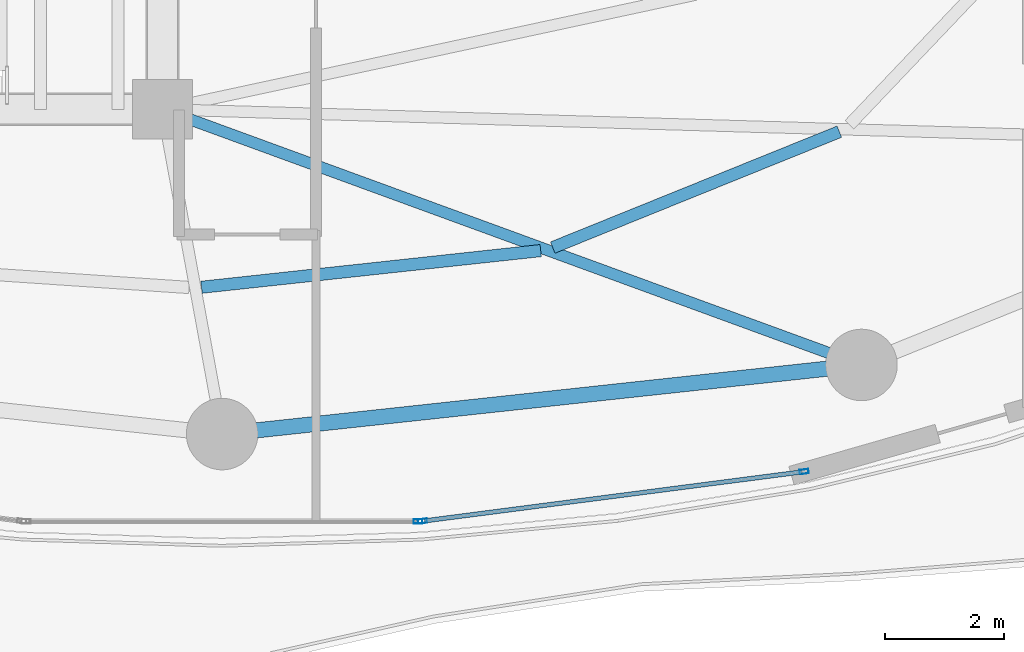
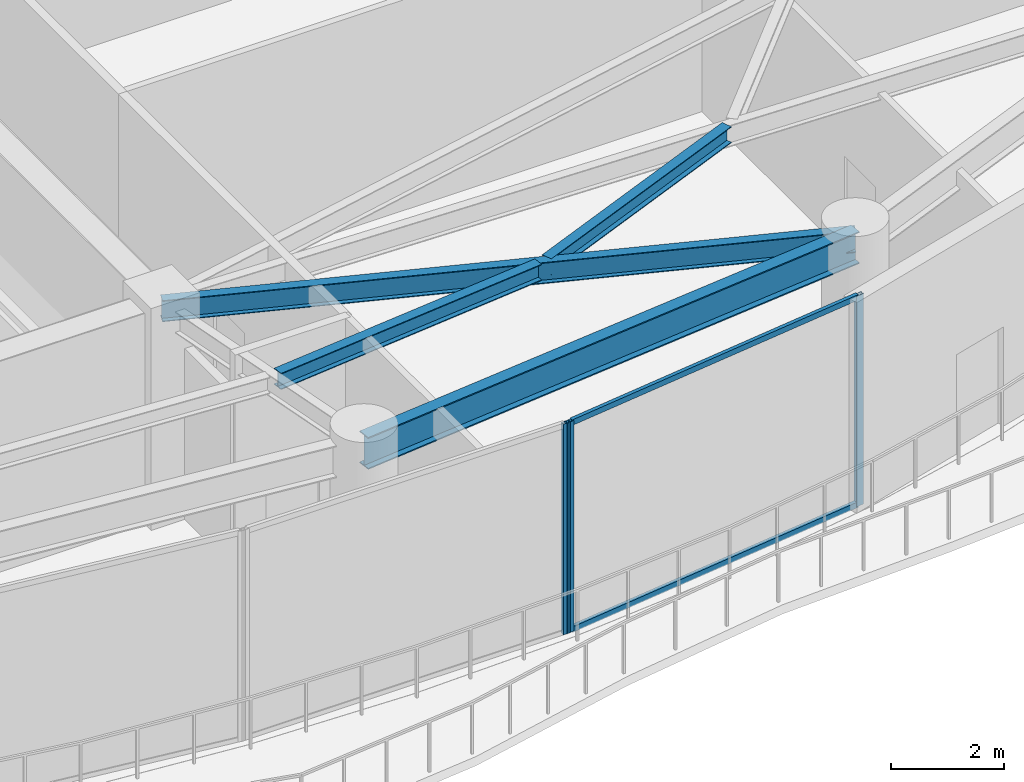
# One storey, part 9 of 30: 5 members, 4 beams, 2 elements without a shape of their own.
"""IFC4 building model written with IfcOpenShell, lengths in metres."""

from ifc_helpers import new_model, si_unit, direction, frame, origin, origin_2d, place, context, subcontext, project, spatial, hollow_rectangle, i_section, extrude, material, layer, layer_set, material_profile, profile_set, type_object, element, aggregate, save


model = new_model("IFC4")

# Units and contexts
model_context = context("Model", 3, precision=1e-05, world=origin(), true_north=direction((0.0, 1.0)))
body_context = subcontext(model_context, "Body", "Model", "MODEL_VIEW")
ifc_project = project(units=[si_unit("LENGTHUNIT", "METRE"), si_unit("AREAUNIT", "SQUARE_METRE"), si_unit("VOLUMEUNIT", "CUBIC_METRE"), si_unit("PLANEANGLEUNIT", "RADIAN"), si_unit("MASSUNIT", "GRAM", prefix="KILO")], contexts=[model_context])

# Site, building, storey
site_placement = place(None, origin())
site = spatial("IfcSite", under=ifc_project, at=site_placement, CompositionType="ELEMENT")
building_placement = place(site_placement, origin())
building = spatial("IfcBuilding", under=site, at=building_placement, Name="Kazevale Care Tower and Concert Hall", CompositionType="ELEMENT")
storey_placement = place(building_placement, frame((0.0, 0.0, 97.800048828125)))
storey = spatial("IfcBuildingStorey", under=building, at=storey_placement, Name="L25", CompositionType="ELEMENT", Elevation=97.800048828125)

# Curtain wall, members
ifc_material_1 = material(Name="Aluminium 6063-T6 and Low-E Glass", Category="aluminium")
ifc_layer = layer(ifc_material_1, 0.179931640625)
ifc_layer_set = layer_set([ifc_layer], Name="Aluminium 6063-T6 and Low-E Glass")
curtain_wall_type = type_object("IfcCurtainWallType", Name="Sheltered Concave Balcony Curtain Wall CW-5", PredefinedType="NOTDEFINED", material=ifc_layer_set)
curtain_wall_1_placement = place(storey_placement, origin())
curtain_wall_1 = element("IfcCurtainWall", 1, at=curtain_wall_1_placement, inside=storey, type_object=curtain_wall_type, Name="cw:L25:f05", PredefinedType="NOTDEFINED")
ifc_material_2 = material(Name="Aluminium 6063-T6", Category="aluminium")
ifc_material_profile_1 = material_profile(ifc_material_2, hollow_rectangle(XDim=0.074951171875, YDim=0.14990234375, WallThickness=0.00390625, at=origin_2d()), Name="ALU75x150x4")
ifc_profile_set_1 = profile_set([ifc_material_profile_1], Name="Aluminium 6063-T6")
member_type_1 = type_object("IfcMemberType", Name="CW-5 Mullion ALU75x150x4", PredefinedType="MULLION", material=ifc_profile_set_1)
member_1_placement = place(storey_placement, frame((54.768798828125, 17.520263671875, 0.0), z_axis=(0.0, 0.0, 1.0), x_axis=(0.12868500567, -0.991685519364, 0.0)))
member_1 = element("IfcMember", 2, at=member_1_placement, type_object=member_type_1, Name="CW-5 mullion 1", PredefinedType="MULLION", context=body_context, shape_type="SweptSolid", body=[
    extrude(hollow_rectangle(XDim=0.074951171875, YDim=0.14990234375, WallThickness=0.00390625, at=origin_2d()), origin(), (0.0, 0.0, 1.0), 4.56005859375),
])
member_2_placement = place(storey_placement, frame((48.3623046875, 16.688720703125, 0.0), z_axis=(0.0, 0.0, 1.0), x_axis=(0.12868500567, -0.991685519364, 0.0)))
member_2 = element("IfcMember", 3, at=member_2_placement, type_object=member_type_1, Name="CW-5 mullion 2", PredefinedType="MULLION", context=body_context, shape_type="SweptSolid", body=[
    extrude(hollow_rectangle(XDim=0.074951171875, YDim=0.14990234375, WallThickness=0.00390625, at=origin_2d()), origin(), (0.0, 0.0, 1.0), 4.56005859375),
])

# Curtain wall, member
curtain_wall_2_placement = place(storey_placement, origin())
curtain_wall_2 = element("IfcCurtainWall", 4, at=curtain_wall_2_placement, inside=storey, type_object=curtain_wall_type, Name="cw:L25:f06", PredefinedType="NOTDEFINED")
member_3_placement = place(storey_placement, frame((48.28759765625, 16.68408203125, 0.0), z_axis=(0.0, 0.0, 1.0), x_axis=(0.0, -1.0, 0.0)))
member_3 = element("IfcMember", 5, at=member_3_placement, type_object=member_type_1, Name="CW-5 mullion 1", PredefinedType="MULLION", context=body_context, shape_type="SweptSolid", body=[
    extrude(hollow_rectangle(XDim=0.074951171875, YDim=0.14990234375, WallThickness=0.00390625, at=origin_2d()), origin(), (0.0, 0.0, 1.0), 4.56005859375),
])
aggregate(curtain_wall_2, [member_3])

# Member
ifc_material_profile_2 = material_profile(ifc_material_2, hollow_rectangle(XDim=0.074951171875, YDim=0.1201171875, WallThickness=0.00390625, at=origin_2d()), Name="ALU75x120x4")
ifc_profile_set_2 = profile_set([ifc_material_profile_2], Name="Aluminium 6063-T6")
member_type_2 = type_object("IfcMemberType", Name="CW-5 Transom ALU75x120x4", PredefinedType="USERDEFINED", material=ifc_profile_set_2)
member_4_placement = place(storey_placement, frame((54.731689453125, 17.515380859375, 0.037353515625), z_axis=(-0.991683991743, -0.12869677743, 0.0), x_axis=(0.12869677743, -0.991683991743, 0.0)))
member_4 = element("IfcMember", 6, at=member_4_placement, type_object=member_type_2, Name="CW-5 transom 1.1", ObjectType="TRANSOM", PredefinedType="USERDEFINED", context=body_context, shape_type="SweptSolid", body=[
    extrude(hollow_rectangle(XDim=0.074951171875, YDim=0.1201171875, WallThickness=0.00390625, at=origin_2d()), origin(), (0.0, 0.0, 1.0), 6.385498046875),
])

member_5_placement = place(storey_placement, frame((54.731689453125, 17.515380859375, 4.5224609375), z_axis=(-0.991683991743, -0.12869677743, 0.0), x_axis=(0.12869677743, -0.991683991743, 0.0)))
member_5 = element("IfcMember", 7, at=member_5_placement, type_object=member_type_2, Name="CW-5 transom 1.2", ObjectType="TRANSOM", PredefinedType="USERDEFINED", context=body_context, shape_type="SweptSolid", body=[
    extrude(hollow_rectangle(XDim=0.074951171875, YDim=0.1201171875, WallThickness=0.00390625, at=origin_2d()), origin(), (0.0, 0.0, 1.0), 6.385498046875),
])

aggregate(curtain_wall_1, [member_1, member_2, member_4, member_5])

# Beams
ifc_material_3 = material(Name="Steel ASTM A572 Gr 50", Category="steel")
ifc_material_profile_3 = material_profile(ifc_material_3, i_section(OverallWidth=0.19091796875, OverallDepth=0.4599609375, WebThickness=0.010009765625, FlangeThickness=0.01611328125, at=origin_2d()), Name="W460x82")
ifc_profile_set_3 = profile_set([ifc_material_profile_3], Name="Steel ASTM A572 Gr 50")
beam_type_1 = type_object("IfcBeamType", Name="Radial Floor Beam W460x82", PredefinedType="BEAM", material=ifc_profile_set_3)
beam_1_placement = place(storey_placement, frame((44.0, 23.60009765625, 4.329833984375), z_axis=(0.939159459123, -0.343481455599, 0.0), x_axis=(0.343481455599, 0.939159459123, 0.0)))
element("IfcBeam", 8, at=beam_1_placement, inside=storey, type_object=beam_type_1, Name="beam:L25:rad:14", PredefinedType="BEAM", context=body_context, shape_type="SweptSolid", body=[
    extrude(i_section(OverallWidth=0.19091796875, OverallDepth=0.4599609375, WebThickness=0.010009765625, FlangeThickness=0.01611328125, at=origin_2d()), origin(), (0.0, 0.0, 1.0), 12.489990234375),
])
ifc_material_profile_4 = material_profile(ifc_material_3, i_section(OverallWidth=0.205078125, OverallDepth=0.35400390625, WebThickness=0.009521484375, FlangeThickness=0.016845703125, at=origin_2d()), Name="W360x79")
ifc_profile_set_4 = profile_set([ifc_material_profile_4], Name="Steel ASTM A572 Gr 50")
beam_type_2 = type_object("IfcBeamType", Name="Secondary Floor Joist W360x79", PredefinedType="JOIST", material=ifc_profile_set_4)
beam_2_placement = place(storey_placement, frame((44.654052734375, 20.614013671875, 4.383056640625), z_axis=(0.994215541126, 0.107403248482, 0.0), x_axis=(-0.107403248482, 0.994215541126, 0.0)))
element("IfcBeam", 9, at=beam_2_placement, inside=storey, type_object=beam_type_2, Name="beam:L25:joist:13", PredefinedType="JOIST", context=body_context, shape_type="SweptSolid", body=[
    extrude(i_section(OverallWidth=0.205078125, OverallDepth=0.35400390625, WebThickness=0.009521484375, FlangeThickness=0.016845703125, at=origin_2d()), origin(), (0.0, 0.0, 1.0), 5.72607421875),
])
beam_3_placement = place(storey_placement, frame((50.549072265625, 21.280029296875, 4.383056640625), z_axis=(0.927064833216, 0.374901046964, 0.0), x_axis=(-0.374901046964, 0.927064833216, 0.0)))
element("IfcBeam", 10, at=beam_3_placement, inside=storey, type_object=beam_type_2, Name="beam:L25:joist:14", PredefinedType="JOIST", context=body_context, shape_type="SweptSolid", body=[
    extrude(i_section(OverallWidth=0.205078125, OverallDepth=0.35400390625, WebThickness=0.009521484375, FlangeThickness=0.016845703125, at=origin_2d()), origin(), (0.0, 0.0, 1.0), 5.188232421875),
])
ifc_material_profile_5 = material_profile(ifc_material_3, i_section(OverallWidth=0.256103515625, OverallDepth=0.693115234375, WebThickness=0.014404296875, FlangeThickness=0.023681640625, at=origin_2d()), Name="W690x170")
ifc_profile_set_5 = profile_set([ifc_material_profile_5], Name="Steel ASTM A572 Gr 50")
beam_type_3 = type_object("IfcBeamType", Name="Waist Ring Beam W690x170", PredefinedType="BEAM", material=ifc_profile_set_5)
beam_4_placement = place(storey_placement, frame((45.0, 18.14990234375, 4.21337890625), z_axis=(0.994205479487, 0.107496346724, 0.0), x_axis=(-0.107496346724, 0.994205479487, 0.0)))
element("IfcBeam", 11, at=beam_4_placement, inside=storey, type_object=beam_type_3, Name="beam:L25:ring:13", PredefinedType="BEAM", context=body_context, shape_type="SweptSolid", body=[
    extrude(i_section(OverallWidth=0.256103515625, OverallDepth=0.693115234375, WebThickness=0.014404296875, FlangeThickness=0.023681640625, at=origin_2d()), origin(), (0.0, 0.0, 1.0), 10.79248046875),
])

save(model, "model.ifc")
